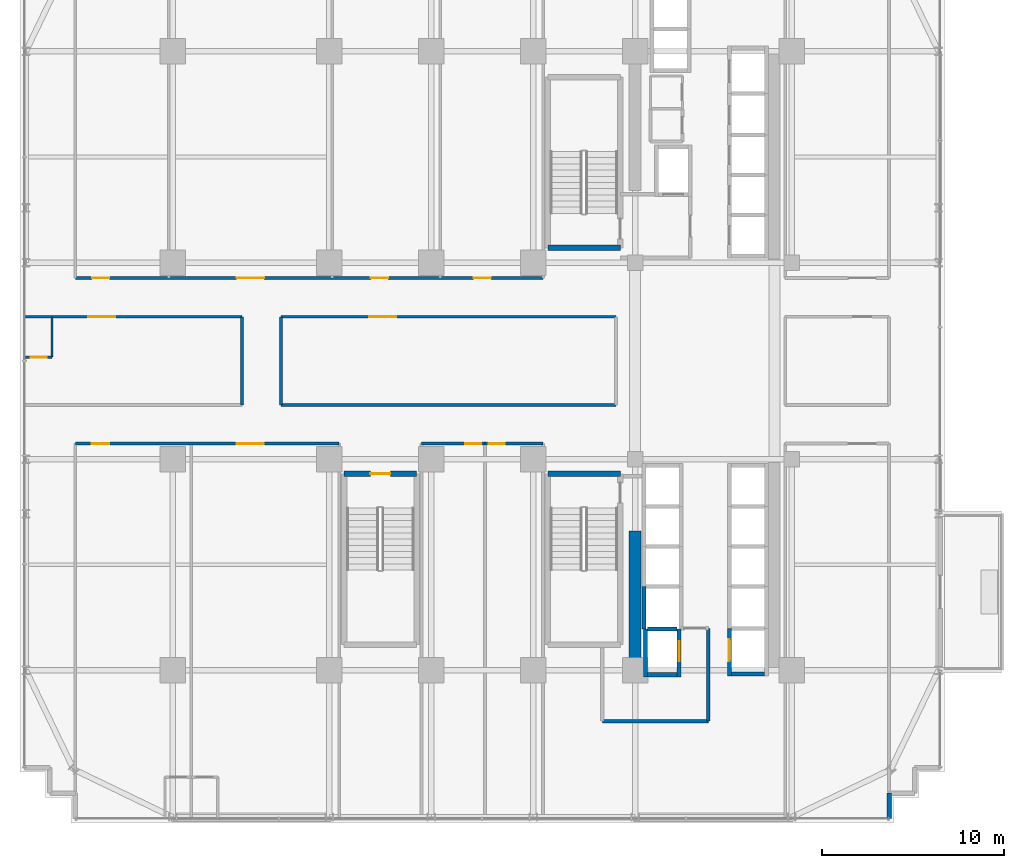
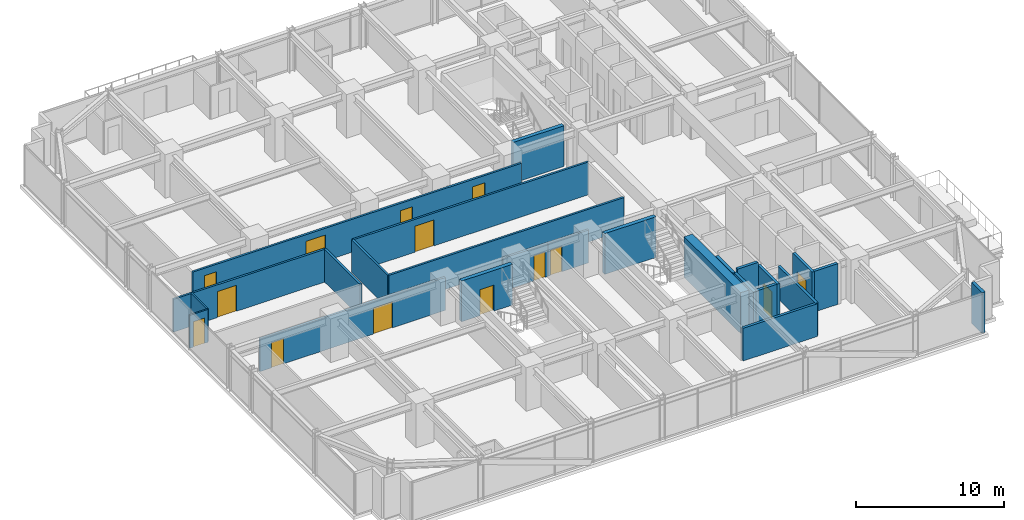
# One storey, part 29 of 35: 25 walls, 14 doors, 14 openings.
"""IFC4 building model written with IfcOpenShell, lengths in metres."""

from ifc_helpers import new_model, si_unit, direction, frame, frame_2d, origin, place, context, subcontext, project, spatial, rectangle, extrude, source, transform, mapped, material, layer, layer_set, type_object, element, fill, save


model = new_model("IFC4")

# Units and contexts
model_context = context("Model", 3, precision=1e-05, world=origin(), true_north=direction((0.0, 1.0)))
body_context = subcontext(model_context, "Body", "Model", "MODEL_VIEW")
ifc_project = project(units=[si_unit("LENGTHUNIT", "METRE"), si_unit("AREAUNIT", "SQUARE_METRE"), si_unit("VOLUMEUNIT", "CUBIC_METRE"), si_unit("PLANEANGLEUNIT", "RADIAN"), si_unit("MASSUNIT", "GRAM", prefix="KILO")], contexts=[model_context])

# Site, building, storey
site_placement = place(None, origin())
site = spatial("IfcSite", under=ifc_project, at=site_placement, CompositionType="ELEMENT")
building_placement = place(site_placement, origin())
building = spatial("IfcBuilding", under=site, at=building_placement, Name="Nahalor Promenade Grand Hotel", CompositionType="ELEMENT")
storey_placement = place(building_placement, frame((0.0, 0.0, 39.699951171875)))
storey = spatial("IfcBuildingStorey", under=building, at=storey_placement, Name="L08", CompositionType="ELEMENT", Elevation=39.699951171875)

# Walls
ifc_material_1 = material(Name="Concrete B-60 (C50/60)", Category="concrete")
ifc_layer_1 = layer(ifc_material_1, 0.64990234375)
ifc_layer_set_1 = layer_set([ifc_layer_1], Name="Concrete B-60 (C50/60)")
wall_type_1 = type_object("IfcWallType", Name="Wall-CoreShear-650", PredefinedType="SHEAR", material=ifc_layer_set_1)
shared_shape_1 = source(origin(), body_context, "Body", "SweptSolid", [
    extrude(rectangle(XDim=7.64990234375, YDim=0.64990234375, at=frame_2d((3.824951171875, 0.0))), origin(), (0.0, 0.0, 1.0), 3.3701171875),
])
wall_1_placement = place(storey_placement, frame((8.39990234375, -17.0, 0.0), z_axis=(0.0, 0.0, 1.0), x_axis=(0.0, 1.0, 0.0)))
element("IfcWall", 1, at=wall_1_placement, inside=storey, type_object=wall_type_1, Name="CWALL-L08-SW", PredefinedType="SHEAR", context=body_context, shape_type="MappedRepresentation", body=[
    mapped(shared_shape_1, transform((0.0, 0.0, 0.0), scale=1.0)),
])
ifc_material_2 = material(Name="Concrete B-50 (C40/50)", Category="concrete")
ifc_layer_2 = layer(ifc_material_2, 0.300048828125)
ifc_layer_set_2 = layer_set([ifc_layer_2], Name="Concrete B-50 (C40/50)")
wall_type_2 = type_object("IfcWallType", Name="Wall-ShaftShear-300", PredefinedType="SHEAR", material=ifc_layer_set_2)
shared_shape_2 = source(origin(), body_context, "Body", "SweptSolid", [
    extrude(rectangle(XDim=3.97998046875, YDim=0.300048828125, at=frame_2d((1.989990234375, 0.0))), origin(), (0.0, 0.0, 1.0), 3.3701171875),
])
for number, where, z_axis, x_axis, name in (
    (2, (3.610107421875, 6.2099609375, 0.0), (0.0, 0.0, 1.0), (1.0, 0.0, 0.0), "L08 Exit Stair ST1 Shaft Wall S"),
    (3, (3.610107421875, -6.2099609375, 0.0), (0.0, 0.0, 1.0), (1.0, 0.0, 0.0), "L08 Exit Stair ST2 Shaft Wall N"),
):
    element("IfcWall", number, at=place(storey_placement, frame(where, z_axis=z_axis, x_axis=x_axis)), inside=storey, type_object=wall_type_2, Name=name, PredefinedType="SHEAR", context=body_context, shape_type="MappedRepresentation", body=[
        mapped(shared_shape_2, transform((0.0, 0.0, 0.0), scale=1.0)),
    ])

# Wall, opening, door
wall_2_placement = place(storey_placement, frame((-7.590087890625, -6.2099609375, 0.0), z_axis=(0.0, 0.0, 1.0), x_axis=(1.0, 0.0, 0.0)))
wall_2 = element("IfcWall", 4, at=wall_2_placement, inside=storey, type_object=wall_type_2, Name="L08 Exit Stair ST3 Shaft Wall N", PredefinedType="SHEAR", context=body_context, shape_type="MappedRepresentation", body=[
    mapped(shared_shape_2, transform((0.0, 0.0, 0.0), scale=1.0)),
])
opening_1_placement = place(wall_2_placement, frame((1.43994140625, 0.0, 0.0)))
opening_1 = element("IfcOpeningElement", 5, at=opening_1_placement, cuts=wall_2, Name="Opening D-ST1", PredefinedType="OPENING", context=body_context, shape_type="SweptSolid", body=[
    extrude(rectangle(XDim=1.10009765625, YDim=2.14990234375, at=frame_2d((0.550048828125, 1.074951171875))), frame((0.0, 0.159912109375, 0.0), z_axis=(0.0, -1.0, 0.0), x_axis=(1.0, 0.0, 0.0)), (0.0, 0.0, 1.0), 0.320068359375),
])
ifc_material_3 = material(Name="Steel S355JR", Category="steel")
door_type_1 = type_object("IfcDoorType", Name="Door-StairFire-1100", OperationType="NOTDEFINED", PredefinedType="DOOR", material=ifc_material_3)
shared_shape_3 = source(origin(), body_context, "Body", "SweptSolid", [
    extrude(rectangle(XDim=1.10009765625, YDim=2.14990234375, at=frame_2d((0.550048828125, 1.074951171875))), frame((0.0, 0.02490234375, 0.0), z_axis=(0.0, -1.0, 0.0), x_axis=(1.0, 0.0, 0.0)), (0.0, 0.0, 1.0), 0.050048828125),
])
door_1_placement = place(opening_1_placement, frame((1.10009765625, 0.0, 0.0), z_axis=(0.0, 0.0, 1.0), x_axis=(-1.0, 0.0, 0.0)))
door_1 = element("IfcDoor", 6, at=door_1_placement, inside=storey, type_object=door_type_1, Name="DR-STAIR-ST3-L08", OperationType="SINGLE_SWING_LEFT", OverallHeight=2.14990234375, OverallWidth=1.10009765625, PredefinedType="DOOR", context=body_context, shape_type="MappedRepresentation", body=[
    mapped(shared_shape_3, transform((0.0, 0.0, 0.0), scale=1.0)),
])
fill(opening_1, door_1)

# Walls
ifc_layer_3 = layer(ifc_material_2, 0.219970703125)
ifc_layer_set_3 = layer_set([ifc_layer_3], Name="Concrete B-50 (C40/50)")
wall_type_3 = type_object("IfcWallType", Name="Wall-LiftShaft-220", PredefinedType="SHEAR", material=ifc_layer_set_3)
shared_shape_4 = source(origin(), body_context, "Body", "SweptSolid", [
    extrude(rectangle(XDim=1.820068359375, YDim=0.219970703125, at=frame_2d((0.91015625, 0.0))), origin(), (0.0, 0.0, 1.0), 3.3701171875),
])
wall_3_placement = place(storey_placement, frame((13.68994140625, -17.199951171875, 0.0), z_axis=(0.0, 0.0, 1.0), x_axis=(1.0, 0.0, 0.0)))
element("IfcWall", 7, at=wall_3_placement, inside=storey, type_object=wall_type_3, Name="L08 Lift SV2 Hoistway Wall S", PredefinedType="SHEAR", context=body_context, shape_type="MappedRepresentation", body=[
    mapped(shared_shape_4, transform((0.0, 0.0, 0.0), scale=1.0)),
])
shared_shape_5 = source(origin(), body_context, "Body", "SweptSolid", [
    extrude(rectangle(XDim=2.3251953125, YDim=0.219970703125, at=frame_2d((1.16259765625, 0.0))), origin(), (0.0, 0.0, 1.0), 3.3701171875),
])
wall_4_placement = place(storey_placement, frame((8.8798828125, -14.72509765625, 0.0), z_axis=(0.0, 0.0, 1.0), x_axis=(0.0, 1.0, 0.0)))
element("IfcWall", 8, at=wall_4_placement, inside=storey, type_object=wall_type_3, Name="L08 Lift PL12 Hoistway Wall W", PredefinedType="SHEAR", context=body_context, shape_type="MappedRepresentation", body=[
    mapped(shared_shape_5, transform((0.0, 0.0, 0.0), scale=1.0)),
])
shared_shape_6 = source(origin(), body_context, "Body", "SweptSolid", [
    extrude(rectangle(XDim=2.635009765625, YDim=0.219970703125, at=frame_2d((1.3173828125, 0.0))), origin(), (0.0, 0.0, 1.0), 3.3701171875),
])
wall_5_placement = place(storey_placement, frame((8.97998046875, -17.360107421875, 0.0), z_axis=(0.0, 0.0, 1.0), x_axis=(0.0, 1.0, 0.0)))
element("IfcWall", 9, at=wall_5_placement, inside=storey, type_object=wall_type_3, Name="L08 Lift FL2 Hoistway Wall W", PredefinedType="SHEAR", context=body_context, shape_type="MappedRepresentation", body=[
    mapped(shared_shape_6, transform((0.0, 0.0, 0.0), scale=1.0)),
])

# Wall, opening, door
wall_6_placement = place(storey_placement, frame((10.820068359375, -17.360107421875, 0.0), z_axis=(0.0, 0.0, 1.0), x_axis=(0.0, 1.0, 0.0)))
wall_6 = element("IfcWall", 10, at=wall_6_placement, inside=storey, type_object=wall_type_3, Name="L08 Lift FL2 Hoistway Wall E", PredefinedType="SHEAR", context=body_context, shape_type="MappedRepresentation", body=[
    mapped(shared_shape_6, transform((0.0, 0.0, 0.0), scale=1.0)),
])
opening_2_placement = place(wall_6_placement, frame((0.860107421875, 0.0, 0.0)))
opening_2 = element("IfcOpeningElement", 11, at=opening_2_placement, cuts=wall_6, Name="Opening LD-02", PredefinedType="OPENING", context=body_context, shape_type="SweptSolid", body=[
    extrude(rectangle(XDim=1.10009765625, YDim=2.199951171875, at=frame_2d((0.550048828125, 1.10009765625))), frame((0.0, 0.119873046875, 0.0), z_axis=(0.0, -1.0, 0.0), x_axis=(1.0, 0.0, 0.0)), (0.0, 0.0, 1.0), 0.239990234375),
])
door_type_2 = type_object("IfcDoorType", Name="Door-LiftFF-1100", OperationType="DOUBLE_DOOR_SLIDING", PredefinedType="DOOR", material=ifc_material_3)
shared_shape_7 = source(origin(), body_context, "Body", "SweptSolid", [
    extrude(rectangle(XDim=1.10009765625, YDim=2.199951171875, at=frame_2d((0.550048828125, 1.10009765625))), frame((0.0, 0.02490234375, 0.0), z_axis=(0.0, -1.0, 0.0), x_axis=(1.0, 0.0, 0.0)), (0.0, 0.0, 1.0), 0.050048828125),
])
door_2_placement = place(opening_2_placement, frame((1.10009765625, 0.0, 0.0), z_axis=(0.0, 0.0, 1.0), x_axis=(-1.0, 0.0, 0.0)))
door_2 = element("IfcDoor", 12, at=door_2_placement, inside=storey, type_object=door_type_2, Name="DR-LIFT-FL2-L08", OperationType="DOUBLE_DOOR_SLIDING", OverallHeight=2.199951171875, OverallWidth=1.10009765625, PredefinedType="DOOR", context=body_context, shape_type="MappedRepresentation", body=[
    mapped(shared_shape_7, transform((0.0, 0.0, 0.0), scale=1.0)),
])
fill(opening_2, door_2)

# Walls
shared_shape_8 = source(origin(), body_context, "Body", "SweptSolid", [
    extrude(rectangle(XDim=1.619873046875, YDim=0.219970703125, at=frame_2d((0.81005859375, 0.0))), origin(), (0.0, 0.0, 1.0), 3.3701171875),
])
wall_7_placement = place(storey_placement, frame((9.090087890625, -17.25, 0.0), z_axis=(0.0, 0.0, 1.0), x_axis=(1.0, 0.0, 0.0)))
element("IfcWall", 13, at=wall_7_placement, inside=storey, type_object=wall_type_3, Name="L08 Lift FL2 Hoistway Wall S", PredefinedType="SHEAR", context=body_context, shape_type="MappedRepresentation", body=[
    mapped(shared_shape_8, transform((0.0, 0.0, 0.0), scale=1.0)),
])
shared_shape_9 = source(origin(), body_context, "Body", "SweptSolid", [
    extrude(rectangle(XDim=1.619873046875, YDim=0.219970703125, at=frame_2d((0.81005859375, 0.0))), origin(), (0.0, 0.0, 1.0), 3.650146484375),
])
wall_8_placement = place(storey_placement, frame((9.090087890625, -14.72509765625, 0.0), z_axis=(0.0, 0.0, 1.0), x_axis=(1.0, 0.0, 0.0)))
element("IfcWall", 14, at=wall_8_placement, inside=storey, type_object=wall_type_3, Name="L08 Lift FL2 Hoistway Wall N", PredefinedType="SHEAR", context=body_context, shape_type="MappedRepresentation", body=[
    mapped(shared_shape_9, transform((0.0, 0.0, 0.0), scale=1.0)),
])

# Wall, opening, door
shared_shape_10 = source(origin(), body_context, "Body", "SweptSolid", [
    extrude(rectangle(XDim=2.610107421875, YDim=0.219970703125, at=frame_2d((1.30517578125, 0.0))), origin(), (0.0, 0.0, 1.0), 3.3701171875),
])
wall_9_placement = place(storey_placement, frame((13.580078125, -17.31005859375, 0.0), z_axis=(0.0, 0.0, 1.0), x_axis=(0.0, 1.0, 0.0)))
wall_9 = element("IfcWall", 15, at=wall_9_placement, inside=storey, type_object=wall_type_3, Name="L08 Lift SV2 Hoistway Wall W", PredefinedType="SHEAR", context=body_context, shape_type="MappedRepresentation", body=[
    mapped(shared_shape_10, transform((0.0, 0.0, 0.0), scale=1.0)),
])
opening_3_placement = place(wall_9_placement, frame((0.81005859375, 0.0, 0.0)))
opening_3 = element("IfcOpeningElement", 16, at=opening_3_placement, cuts=wall_9, Name="Opening LD-03", PredefinedType="OPENING", context=body_context, shape_type="SweptSolid", body=[
    extrude(rectangle(XDim=1.199951171875, YDim=2.199951171875, at=frame_2d((0.60009765625, 1.10009765625))), frame((0.0, 0.119873046875, 0.0), z_axis=(0.0, -1.0, 0.0), x_axis=(1.0, 0.0, 0.0)), (0.0, 0.0, 1.0), 0.239990234375),
])
door_type_3 = type_object("IfcDoorType", Name="Door-LiftService-1200", OperationType="DOUBLE_DOOR_SLIDING", PredefinedType="DOOR", material=ifc_material_3)
shared_shape_11 = source(origin(), body_context, "Body", "SweptSolid", [
    extrude(rectangle(XDim=1.199951171875, YDim=2.199951171875, at=frame_2d((0.60009765625, 1.10009765625))), frame((0.0, 0.02490234375, 0.0), z_axis=(0.0, -1.0, 0.0), x_axis=(1.0, 0.0, 0.0)), (0.0, 0.0, 1.0), 0.050048828125),
])
door_3_placement = place(opening_3_placement, origin())
door_3 = element("IfcDoor", 17, at=door_3_placement, inside=storey, type_object=door_type_3, Name="DR-LIFT-SV2-L08", OperationType="DOUBLE_DOOR_SLIDING", OverallHeight=2.199951171875, OverallWidth=1.199951171875, PredefinedType="DOOR", context=body_context, shape_type="MappedRepresentation", body=[
    mapped(shared_shape_11, transform((0.0, 0.0, 0.0), scale=1.0)),
])
fill(opening_3, door_3)

# Walls
ifc_material_4 = material(Name="Concrete B-40 (C32/40)", Category="concrete")
ifc_layer_4 = layer(ifc_material_4, 0.25)
ifc_layer_set_4 = layer_set([ifc_layer_4], Name="Concrete B-40 (C32/40)")
wall_type_4 = type_object("IfcWallType", Name="Wall-BronzePier-250", PredefinedType="STANDARD", material=ifc_layer_set_4)
shared_shape_12 = source(origin(), body_context, "Body", "SweptSolid", [
    extrude(rectangle(XDim=1.39990234375, YDim=0.25, at=frame_2d((0.699951171875, 0.0))), origin(), (0.0, 0.0, 1.0), 3.3701171875),
])
wall_10_placement = place(storey_placement, frame((22.360107421875, -25.159912109375, 0.0), z_axis=(0.0, 0.0, 1.0), x_axis=(0.0, 1.0, 0.0)))
element("IfcWall", 18, at=wall_10_placement, inside=storey, type_object=wall_type_4, Name="W-L08-SR-01", PredefinedType="STANDARD", context=body_context, shape_type="MappedRepresentation", body=[
    mapped(shared_shape_12, transform((0.0, 0.0, 0.0), scale=1.0)),
])
ifc_layer_5 = layer(ifc_material_4, 0.199951171875)
ifc_layer_set_5 = layer_set([ifc_layer_5], Name="Concrete B-40 (C32/40)")
wall_type_5 = type_object("IfcWallType", Name="Wall-PartFire-200", PredefinedType="PARTITIONING", material=ifc_layer_set_5)
shared_shape_13 = source(origin(), body_context, "Body", "SweptSolid", [
    extrude(rectangle(XDim=5.81982421875, YDim=0.199951171875, at=frame_2d((2.909912109375, 0.0))), origin(), (0.0, 0.0, 1.0), 2.7099609375),
])
wall_11_placement = place(storey_placement, frame((6.60009765625, -19.800048828125, 0.0), z_axis=(0.0, 0.0, 1.0), x_axis=(1.0, 0.0, 0.0)))
element("IfcWall", 19, at=wall_11_placement, inside=storey, type_object=wall_type_5, Name="W-L08-FF2-S1", PredefinedType="PARTITIONING", context=body_context, shape_type="MappedRepresentation", body=[
    mapped(shared_shape_13, transform((0.0, 0.0, 0.0), scale=1.0)),
])
shared_shape_14 = source(origin(), body_context, "Body", "SweptSolid", [
    extrude(rectangle(XDim=5.10009765625, YDim=0.199951171875, at=frame_2d((2.550048828125, 0.0))), origin(), (0.0, 0.0, 1.0), 2.7099609375),
])
wall_12_placement = place(storey_placement, frame((12.419921875, -19.800048828125, 0.0), z_axis=(0.0, 0.0, 1.0), x_axis=(0.0, 1.0, 0.0)))
element("IfcWall", 20, at=wall_12_placement, inside=storey, type_object=wall_type_5, Name="W-L08-FF2-E", PredefinedType="PARTITIONING", context=body_context, shape_type="MappedRepresentation", body=[
    mapped(shared_shape_14, transform((0.0, 0.0, 0.0), scale=1.0)),
])

# Wall, openings, doors
ifc_material_5 = material(Name="Acoustic Mineral Gypsum", Category="gypsum")
ifc_layer_6 = layer(ifc_material_5, 0.159912109375)
ifc_layer_set_6 = layer_set([ifc_layer_6], Name="Acoustic Mineral Gypsum")
wall_type_6 = type_object("IfcWallType", Name="Wall-PartCorridor-160", PredefinedType="PARTITIONING", material=ifc_layer_set_6)
shared_shape_15 = source(origin(), body_context, "Body", "SweptSolid", [
    extrude(rectangle(XDim=25.7001953125, YDim=0.159912109375, at=frame_2d((12.85009765625, 0.0))), origin(), (0.0, 0.0, 1.0), 2.7099609375),
])
wall_13_placement = place(storey_placement, frame((-22.360107421875, 4.550048828125, 0.0), z_axis=(0.0, 0.0, 1.0), x_axis=(1.0, 0.0, 0.0)))
wall_13 = element("IfcWall", 21, at=wall_13_placement, inside=storey, type_object=wall_type_6, Name="W-L08-CORR-N", PredefinedType="PARTITIONING", context=body_context, shape_type="MappedRepresentation", body=[
    mapped(shared_shape_15, transform((0.0, 0.0, 0.0), scale=1.0)),
])
opening_4_placement = place(wall_13_placement, frame((0.9169921875, 0.0, 0.0)))
opening_4 = element("IfcOpeningElement", 22, at=opening_4_placement, cuts=wall_13, Name="Opening D-01", PredefinedType="OPENING", context=body_context, shape_type="SweptSolid", body=[
    extrude(rectangle(XDim=0.949951171875, YDim=2.10009765625, at=frame_2d((0.47509765625, 1.050048828125))), frame((0.0, 0.08984375, 0.0), z_axis=(0.0, -1.0, 0.0), x_axis=(1.0, 0.0, 0.0)), (0.0, 0.0, 1.0), 0.179931640625),
])
opening_5_placement = place(wall_13_placement, frame((8.868896484375, 0.0, 0.0)))
opening_5 = element("IfcOpeningElement", 23, at=opening_5_placement, cuts=wall_13, Name="Opening D-02", PredefinedType="OPENING", context=body_context, shape_type="SweptSolid", body=[
    extrude(rectangle(XDim=1.5, YDim=2.14990234375, at=frame_2d((0.75, 1.074951171875))), frame((0.0, 0.08984375, 0.0), z_axis=(0.0, -1.0, 0.0), x_axis=(1.0, 0.0, 0.0)), (0.0, 0.0, 1.0), 0.179931640625),
])
opening_6_placement = place(wall_13_placement, frame((16.241943359375, 0.0, 0.0)))
opening_6 = element("IfcOpeningElement", 24, at=opening_6_placement, cuts=wall_13, Name="Opening D-01", PredefinedType="OPENING", context=body_context, shape_type="SweptSolid", body=[
    extrude(rectangle(XDim=0.949951171875, YDim=2.10009765625, at=frame_2d((0.47509765625, 1.050048828125))), frame((0.0, 0.08984375, 0.0), z_axis=(0.0, -1.0, 0.0), x_axis=(1.0, 0.0, 0.0)), (0.0, 0.0, 1.0), 0.179931640625),
])
opening_7_placement = place(wall_13_placement, frame((21.889892578125, 0.0, 0.0)))
opening_7 = element("IfcOpeningElement", 25, at=opening_7_placement, cuts=wall_13, Name="Opening D-01", PredefinedType="OPENING", context=body_context, shape_type="SweptSolid", body=[
    extrude(rectangle(XDim=0.949951171875, YDim=2.10009765625, at=frame_2d((0.47509765625, 1.050048828125))), frame((0.0, 0.08984375, 0.0), z_axis=(0.0, -1.0, 0.0), x_axis=(1.0, 0.0, 0.0)), (0.0, 0.0, 1.0), 0.179931640625),
])
ifc_material_6 = material(Name="Fire-Rated Timber Composite", Category="wood")
door_type_4 = type_object("IfcDoorType", Name="Door-SuiteDouble-1500", OperationType="DOUBLE_DOOR_SINGLE_SWING", PredefinedType="DOOR", material=ifc_material_6)
shared_shape_16 = source(origin(), body_context, "Body", "SweptSolid", [
    extrude(rectangle(XDim=1.5, YDim=2.14990234375, at=frame_2d((0.75, 1.074951171875))), frame((0.0, 0.02490234375, 0.0), z_axis=(0.0, -1.0, 0.0), x_axis=(1.0, 0.0, 0.0)), (0.0, 0.0, 1.0), 0.050048828125),
])
door_4_placement = place(opening_5_placement, origin())
door_4 = element("IfcDoor", 26, at=door_4_placement, inside=storey, type_object=door_type_4, Name="DR-L08-N2-ENT", OperationType="DOUBLE_DOOR_SINGLE_SWING", OverallHeight=2.14990234375, OverallWidth=1.5, PredefinedType="DOOR", context=body_context, shape_type="MappedRepresentation", body=[
    mapped(shared_shape_16, transform((0.0, 0.0, 0.0), scale=1.0)),
])
fill(opening_5, door_4)
door_type_5 = type_object("IfcDoorType", Name="Door-GuestEntry-950", OperationType="NOTDEFINED", PredefinedType="DOOR", material=ifc_material_6)
shared_shape_17 = source(origin(), body_context, "Body", "SweptSolid", [
    extrude(rectangle(XDim=0.949951171875, YDim=2.10009765625, at=frame_2d((0.47509765625, 1.050048828125))), frame((0.0, 0.02490234375, 0.0), z_axis=(0.0, -1.0, 0.0), x_axis=(1.0, 0.0, 0.0)), (0.0, 0.0, 1.0), 0.050048828125),
])
door_5_placement = place(opening_4_placement, origin())
door_5 = element("IfcDoor", 27, at=door_5_placement, inside=storey, type_object=door_type_5, Name="DR-L08-N1-ENT", OperationType="SINGLE_SWING_LEFT", OverallHeight=2.10009765625, OverallWidth=0.949951171875, PredefinedType="DOOR", context=body_context, shape_type="MappedRepresentation", body=[
    mapped(shared_shape_17, transform((0.0, 0.0, 0.0), scale=1.0)),
])
fill(opening_4, door_5)
door_6_placement = place(opening_6_placement, origin())
door_6 = element("IfcDoor", 28, at=door_6_placement, inside=storey, type_object=door_type_5, Name="DR-L08-N3-ENT", OperationType="SINGLE_SWING_RIGHT", OverallHeight=2.10009765625, OverallWidth=0.949951171875, PredefinedType="DOOR", context=body_context, shape_type="MappedRepresentation", body=[
    mapped(shared_shape_17, transform((0.0, 0.0, 0.0), scale=1.0)),
])
fill(opening_6, door_6)
door_7_placement = place(opening_7_placement, origin())
door_7 = element("IfcDoor", 29, at=door_7_placement, inside=storey, type_object=door_type_5, Name="DR-L08-N4-ENT", OperationType="SINGLE_SWING_RIGHT", OverallHeight=2.10009765625, OverallWidth=0.949951171875, PredefinedType="DOOR", context=body_context, shape_type="MappedRepresentation", body=[
    mapped(shared_shape_17, transform((0.0, 0.0, 0.0), scale=1.0)),
])
fill(opening_7, door_7)

# Wall, opening, door
ifc_layer_7 = layer(ifc_material_5, 0.1201171875)
ifc_layer_set_7 = layer_set([ifc_layer_7], Name="Acoustic Mineral Gypsum")
wall_type_7 = type_object("IfcWallType", Name="Wall-PartBath-120", PredefinedType="PARTITIONING", material=ifc_layer_set_7)
shared_shape_18 = source(origin(), body_context, "Body", "SweptSolid", [
    extrude(rectangle(XDim=1.4501953125, YDim=0.1201171875, at=frame_2d((0.72509765625, 0.0))), origin(), (0.0, 0.0, 1.0), 2.7099609375),
])
wall_14_placement = place(storey_placement, frame((-25.10009765625, 0.199951171875, 0.0), z_axis=(0.0, 0.0, 1.0), x_axis=(1.0, 0.0, 0.0)))
wall_14 = element("IfcWall", 30, at=wall_14_placement, inside=storey, type_object=wall_type_7, Name="W-L08-W1-BH", PredefinedType="PARTITIONING", context=body_context, shape_type="MappedRepresentation", body=[
    mapped(shared_shape_18, transform((0.0, 0.0, 0.0), scale=1.0)),
])
opening_8_placement = place(wall_14_placement, frame((0.284912109375, 0.0, 0.0)))
opening_8 = element("IfcOpeningElement", 31, at=opening_8_placement, cuts=wall_14, Name="Opening D-03", PredefinedType="OPENING", context=body_context, shape_type="SweptSolid", body=[
    extrude(rectangle(XDim=0.8798828125, YDim=2.10009765625, at=frame_2d((0.43994140625, 1.050048828125))), frame((0.0, 0.070068359375, 0.0), z_axis=(0.0, -1.0, 0.0), x_axis=(1.0, 0.0, 0.0)), (0.0, 0.0, 1.0), 0.14013671875),
])
door_type_6 = type_object("IfcDoorType", Name="Door-BathSwing-880", OperationType="NOTDEFINED", PredefinedType="DOOR", material=ifc_material_6)
shared_shape_19 = source(origin(), body_context, "Body", "SweptSolid", [
    extrude(rectangle(XDim=0.8798828125, YDim=2.10009765625, at=frame_2d((0.43994140625, 1.050048828125))), frame((0.0, 0.02490234375, 0.0), z_axis=(0.0, -1.0, 0.0), x_axis=(1.0, 0.0, 0.0)), (0.0, 0.0, 1.0), 0.050048828125),
])
door_8_placement = place(opening_8_placement, origin())
door_8 = element("IfcDoor", 32, at=door_8_placement, inside=storey, type_object=door_type_6, Name="DR-L08-W1-BATH", OperationType="SINGLE_SWING_RIGHT", OverallHeight=2.10009765625, OverallWidth=0.8798828125, PredefinedType="DOOR", context=body_context, shape_type="MappedRepresentation", body=[
    mapped(shared_shape_19, transform((0.0, 0.0, 0.0), scale=1.0)),
])
fill(opening_8, door_8)

# Wall, openings, doors
shared_shape_20 = source(origin(), body_context, "Body", "SweptSolid", [
    extrude(rectangle(XDim=14.5, YDim=0.159912109375, at=frame_2d((7.25, 0.0))), origin(), (0.0, 0.0, 1.0), 2.7099609375),
])
wall_15_placement = place(storey_placement, frame((-22.360107421875, -4.550048828125, 0.0), z_axis=(0.0, 0.0, 1.0), x_axis=(1.0, 0.0, 0.0)))
wall_15 = element("IfcWall", 33, at=wall_15_placement, inside=storey, type_object=wall_type_6, Name="W-L08-CORR-S", PredefinedType="PARTITIONING", context=body_context, shape_type="MappedRepresentation", body=[
    mapped(shared_shape_20, transform((0.0, 0.0, 0.0), scale=1.0)),
])
opening_9_placement = place(wall_15_placement, frame((0.906982421875, 0.0, 0.0)))
opening_9 = element("IfcOpeningElement", 34, at=opening_9_placement, cuts=wall_15, Name="Opening D-01", PredefinedType="OPENING", context=body_context, shape_type="SweptSolid", body=[
    extrude(rectangle(XDim=0.949951171875, YDim=2.10009765625, at=frame_2d((0.47509765625, 1.050048828125))), frame((0.0, 0.08984375, 0.0), z_axis=(0.0, -1.0, 0.0), x_axis=(1.0, 0.0, 0.0)), (0.0, 0.0, 1.0), 0.179931640625),
])
opening_10_placement = place(wall_15_placement, frame((8.860107421875, 0.0, 0.0)))
opening_10 = element("IfcOpeningElement", 35, at=opening_10_placement, cuts=wall_15, Name="Opening D-02", PredefinedType="OPENING", context=body_context, shape_type="SweptSolid", body=[
    extrude(rectangle(XDim=1.5, YDim=2.14990234375, at=frame_2d((0.75, 1.074951171875))), frame((0.0, 0.08984375, 0.0), z_axis=(0.0, -1.0, 0.0), x_axis=(1.0, 0.0, 0.0)), (0.0, 0.0, 1.0), 0.179931640625),
])
door_9_placement = place(opening_10_placement, frame((1.5, 0.0, 0.0), z_axis=(0.0, 0.0, 1.0), x_axis=(-1.0, 0.0, 0.0)))
door_9 = element("IfcDoor", 36, at=door_9_placement, inside=storey, type_object=door_type_4, Name="DR-L08-S2-ENT", OperationType="DOUBLE_DOOR_SINGLE_SWING", OverallHeight=2.14990234375, OverallWidth=1.5, PredefinedType="DOOR", context=body_context, shape_type="MappedRepresentation", body=[
    mapped(shared_shape_16, transform((0.0, 0.0, 0.0), scale=1.0)),
])
fill(opening_10, door_9)
door_10_placement = place(opening_9_placement, frame((0.949951171875, 0.0, 0.0), z_axis=(0.0, 0.0, 1.0), x_axis=(-1.0, 0.0, 0.0)))
door_10 = element("IfcDoor", 37, at=door_10_placement, inside=storey, type_object=door_type_5, Name="DR-L08-S1-ENT", OperationType="SINGLE_SWING_RIGHT", OverallHeight=2.10009765625, OverallWidth=0.949951171875, PredefinedType="DOOR", context=body_context, shape_type="MappedRepresentation", body=[
    mapped(shared_shape_17, transform((0.0, 0.0, 0.0), scale=1.0)),
])
fill(opening_9, door_10)

# Wall, opening, door
shared_shape_21 = source(origin(), body_context, "Body", "SweptSolid", [
    extrude(rectangle(XDim=3.489990234375, YDim=0.159912109375, at=frame_2d((1.7451171875, 0.0))), origin(), (0.0, 0.0, 1.0), 2.7099609375),
])
wall_16_placement = place(storey_placement, frame((-3.340087890625, -4.550048828125, 0.0), z_axis=(0.0, 0.0, 1.0), x_axis=(1.0, 0.0, 0.0)))
wall_16 = element("IfcWall", 38, at=wall_16_placement, inside=storey, type_object=wall_type_6, Name="W-L08-SCB1-N", PredefinedType="PARTITIONING", context=body_context, shape_type="MappedRepresentation", body=[
    mapped(shared_shape_21, transform((0.0, 0.0, 0.0), scale=1.0)),
])
opening_11_placement = place(wall_16_placement, frame((2.39990234375, 0.0, 0.0)))
opening_11 = element("IfcOpeningElement", 39, at=opening_11_placement, cuts=wall_16, Name="Opening D-03", PredefinedType="OPENING", context=body_context, shape_type="SweptSolid", body=[
    extrude(rectangle(XDim=0.8798828125, YDim=2.10009765625, at=frame_2d((0.43994140625, 1.050048828125))), frame((0.0, 0.08984375, 0.0), z_axis=(0.0, -1.0, 0.0), x_axis=(1.0, 0.0, 0.0)), (0.0, 0.0, 1.0), 0.179931640625),
])
door_11_placement = place(opening_11_placement, frame((0.8798828125, 0.0, 0.0), z_axis=(0.0, 0.0, 1.0), x_axis=(-1.0, 0.0, 0.0)))
door_11 = element("IfcDoor", 40, at=door_11_placement, inside=storey, type_object=door_type_6, Name="DR-L08-SCB1", OperationType="SINGLE_SWING_RIGHT", OverallHeight=2.10009765625, OverallWidth=0.8798828125, PredefinedType="DOOR", context=body_context, shape_type="MappedRepresentation", body=[
    mapped(shared_shape_19, transform((0.0, 0.0, 0.0), scale=1.0)),
])
fill(opening_11, door_11)

shared_shape_22 = source(origin(), body_context, "Body", "SweptSolid", [
    extrude(rectangle(XDim=3.190185546875, YDim=0.159912109375, at=frame_2d((1.59521484375, 0.0))), origin(), (0.0, 0.0, 1.0), 2.7099609375),
])
wall_17_placement = place(storey_placement, frame((0.14990234375, -4.550048828125, 0.0), z_axis=(0.0, 0.0, 1.0), x_axis=(1.0, 0.0, 0.0)))
wall_17 = element("IfcWall", 41, at=wall_17_placement, inside=storey, type_object=wall_type_6, Name="W-L08-SCB2-N", PredefinedType="PARTITIONING", context=body_context, shape_type="MappedRepresentation", body=[
    mapped(shared_shape_22, transform((0.0, 0.0, 0.0), scale=1.0)),
])
opening_12_placement = place(wall_17_placement, frame((0.2099609375, 0.0, 0.0)))
opening_12 = element("IfcOpeningElement", 42, at=opening_12_placement, cuts=wall_17, Name="Opening D-03", PredefinedType="OPENING", context=body_context, shape_type="SweptSolid", body=[
    extrude(rectangle(XDim=0.8798828125, YDim=2.10009765625, at=frame_2d((0.43994140625, 1.050048828125))), frame((0.0, 0.08984375, 0.0), z_axis=(0.0, -1.0, 0.0), x_axis=(1.0, 0.0, 0.0)), (0.0, 0.0, 1.0), 0.179931640625),
])
door_12_placement = place(opening_12_placement, frame((0.8798828125, 0.0, 0.0), z_axis=(0.0, 0.0, 1.0), x_axis=(-1.0, 0.0, 0.0)))
door_12 = element("IfcDoor", 43, at=door_12_placement, inside=storey, type_object=door_type_6, Name="DR-L08-SCB2", OperationType="SINGLE_SWING_LEFT", OverallHeight=2.10009765625, OverallWidth=0.8798828125, PredefinedType="DOOR", context=body_context, shape_type="MappedRepresentation", body=[
    mapped(shared_shape_19, transform((0.0, 0.0, 0.0), scale=1.0)),
])
fill(opening_12, door_12)

# Walls
shared_shape_23 = source(origin(), body_context, "Body", "SweptSolid", [
    extrude(rectangle(XDim=4.83984375, YDim=0.159912109375, at=frame_2d((2.419921875, 0.0))), origin(), (0.0, 0.0, 1.0), 2.7099609375),
])
for number, where, z_axis, x_axis, name in (
    (44, (-13.199951171875, -2.419921875, 0.0), (0.0, 0.0, 1.0), (0.0, 1.0, 0.0), "W-L08-WEST-E"),
    (45, (-11.050048828125, -2.419921875, 0.0), (0.0, 0.0, 1.0), (0.0, 1.0, 0.0), "W-L08-CM1-W"),
):
    element("IfcWall", number, at=place(storey_placement, frame(where, z_axis=z_axis, x_axis=x_axis)), inside=storey, type_object=wall_type_6, Name=name, PredefinedType="PARTITIONING", context=body_context, shape_type="MappedRepresentation", body=[
        mapped(shared_shape_23, transform((0.0, 0.0, 0.0), scale=1.0)),
    ])
shared_shape_24 = source(origin(), body_context, "Body", "SweptSolid", [
    extrude(rectangle(XDim=2.219970703125, YDim=0.1201171875, at=frame_2d((1.10986328125, 0.0))), origin(), (0.0, 0.0, 1.0), 2.7099609375),
])
wall_18_placement = place(storey_placement, frame((-23.64990234375, 0.199951171875, 0.0), z_axis=(0.0, 0.0, 1.0), x_axis=(0.0, 1.0, 0.0)))
element("IfcWall", 46, at=wall_18_placement, inside=storey, type_object=wall_type_7, Name="W-L08-W1-BV", PredefinedType="PARTITIONING", context=body_context, shape_type="MappedRepresentation", body=[
    mapped(shared_shape_24, transform((0.0, 0.0, 0.0), scale=1.0)),
])

# Wall, opening, door
shared_shape_25 = source(origin(), body_context, "Body", "SweptSolid", [
    extrude(rectangle(XDim=11.900146484375, YDim=0.159912109375, at=frame_2d((5.9501953125, 0.0))), origin(), (0.0, 0.0, 1.0), 2.7099609375),
])
wall_19_placement = place(storey_placement, frame((-25.10009765625, 2.419921875, 0.0), z_axis=(0.0, 0.0, 1.0), x_axis=(1.0, 0.0, 0.0)))
wall_19 = element("IfcWall", 47, at=wall_19_placement, inside=storey, type_object=wall_type_6, Name="W-L08-WEST-N", PredefinedType="PARTITIONING", context=body_context, shape_type="MappedRepresentation", body=[
    mapped(shared_shape_25, transform((0.0, 0.0, 0.0), scale=1.0)),
])
opening_13_placement = place(wall_19_placement, frame((3.43701171875, 0.0, 0.0)))
opening_13 = element("IfcOpeningElement", 48, at=opening_13_placement, cuts=wall_19, Name="Opening D-02", PredefinedType="OPENING", context=body_context, shape_type="SweptSolid", body=[
    extrude(rectangle(XDim=1.5, YDim=2.14990234375, at=frame_2d((0.75, 1.074951171875))), frame((0.0, 0.08984375, 0.0), z_axis=(0.0, -1.0, 0.0), x_axis=(1.0, 0.0, 0.0)), (0.0, 0.0, 1.0), 0.179931640625),
])
door_13_placement = place(opening_13_placement, origin())
door_13 = element("IfcDoor", 49, at=door_13_placement, inside=storey, type_object=door_type_4, Name="DR-L08-W1-ENT", OperationType="DOUBLE_DOOR_SINGLE_SWING", OverallHeight=2.14990234375, OverallWidth=1.5, PredefinedType="DOOR", context=body_context, shape_type="MappedRepresentation", body=[
    mapped(shared_shape_16, transform((0.0, 0.0, 0.0), scale=1.0)),
])
fill(opening_13, door_13)

# Wall
shared_shape_26 = source(origin(), body_context, "Body", "SweptSolid", [
    extrude(rectangle(XDim=18.400146484375, YDim=0.159912109375, at=frame_2d((9.2001953125, 0.0))), origin(), (0.0, 0.0, 1.0), 2.7099609375),
])
wall_20_placement = place(storey_placement, frame((-11.050048828125, -2.419921875, 0.0), z_axis=(0.0, 0.0, 1.0), x_axis=(1.0, 0.0, 0.0)))
element("IfcWall", 50, at=wall_20_placement, inside=storey, type_object=wall_type_6, Name="W-L08-CM1-S", PredefinedType="PARTITIONING", context=body_context, shape_type="MappedRepresentation", body=[
    mapped(shared_shape_26, transform((0.0, 0.0, 0.0), scale=1.0)),
])

# Wall, opening, door
wall_21_placement = place(storey_placement, frame((-11.050048828125, 2.419921875, 0.0), z_axis=(0.0, 0.0, 1.0), x_axis=(1.0, 0.0, 0.0)))
wall_21 = element("IfcWall", 51, at=wall_21_placement, inside=storey, type_object=wall_type_6, Name="W-L08-CM1-N", PredefinedType="PARTITIONING", context=body_context, shape_type="MappedRepresentation", body=[
    mapped(shared_shape_26, transform((0.0, 0.0, 0.0), scale=1.0)),
])
opening_14_placement = place(wall_21_placement, frame((4.8330078125, 0.0, 0.0)))
opening_14 = element("IfcOpeningElement", 52, at=opening_14_placement, cuts=wall_21, Name="Opening D-02", PredefinedType="OPENING", context=body_context, shape_type="SweptSolid", body=[
    extrude(rectangle(XDim=1.5, YDim=2.14990234375, at=frame_2d((0.75, 1.074951171875))), frame((0.0, 0.08984375, 0.0), z_axis=(0.0, -1.0, 0.0), x_axis=(1.0, 0.0, 0.0)), (0.0, 0.0, 1.0), 0.179931640625),
])
door_14_placement = place(opening_14_placement, frame((1.5, 0.0, 0.0), z_axis=(0.0, 0.0, 1.0), x_axis=(-1.0, 0.0, 0.0)))
door_14 = element("IfcDoor", 53, at=door_14_placement, inside=storey, type_object=door_type_4, Name="DR-L08-CM1", OperationType="DOUBLE_DOOR_SINGLE_SWING", OverallHeight=2.14990234375, OverallWidth=1.5, PredefinedType="DOOR", context=body_context, shape_type="MappedRepresentation", body=[
    mapped(shared_shape_16, transform((0.0, 0.0, 0.0), scale=1.0)),
])
fill(opening_14, door_14)

save(model, "model.ifc")
